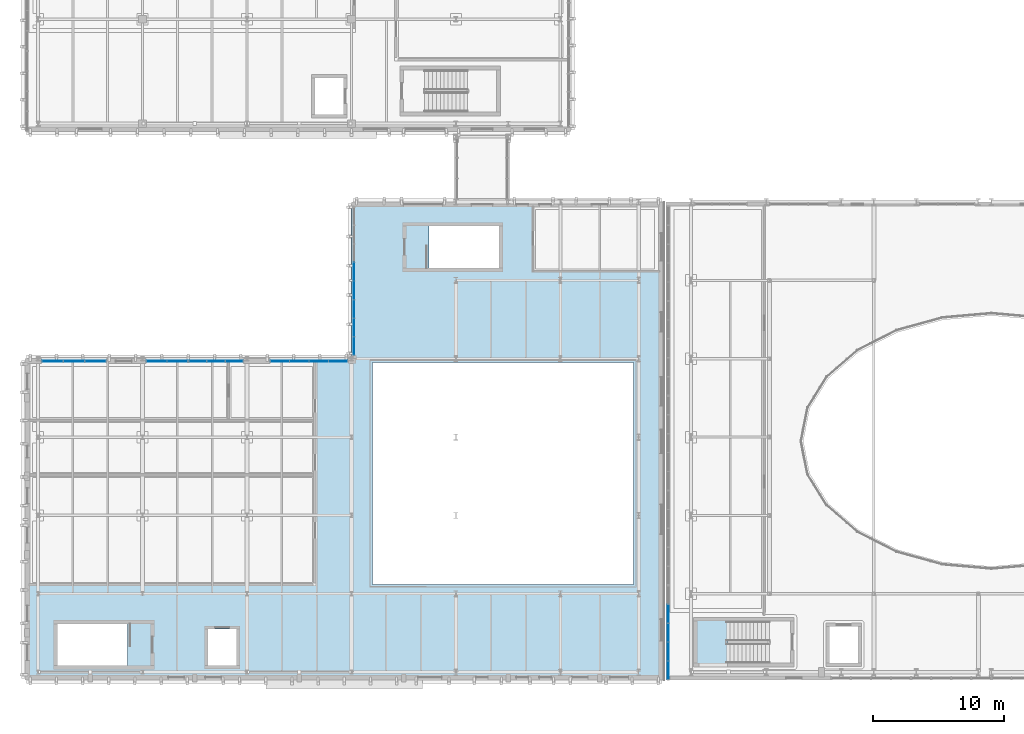
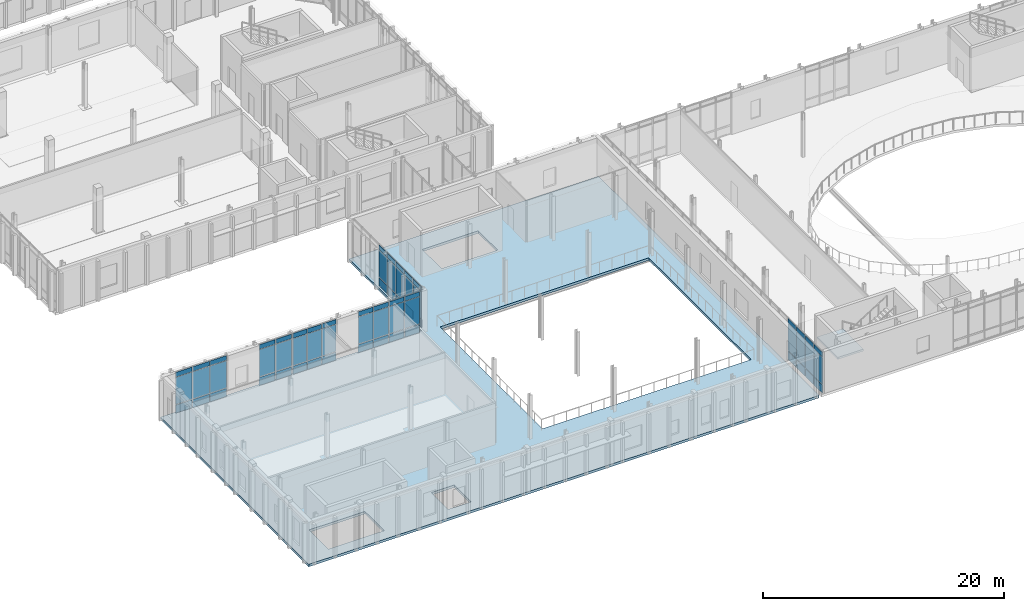
# One storey, part 49 of 100: 63 plates, 2 slabs, 7 elements without a shape of their own.
"""IFC4 building model written with IfcOpenShell, lengths in metres."""

import ifcopenshell
import ifcopenshell.guid

model = None  # the IFC model being written
_history = None  # IfcOwnerHistory: only IFC2X3 demands one
_inside = {}  # id of a spatial element -> (the spatial element, [elements in it])
_under = {}  # id of a project, library or spatial element -> (it, [spatial elements below it])
_declared = {}  # id of a project -> (the project, [libraries it declares])
_typed = {}  # id of a type object -> (the type object, [elements of that type])
_made_of = {}  # id of a material, layer set ... -> (it, [elements and type objects made of it])


def new_model(schema):
    """Start an empty IFC model of exactly this schema.

    Asked for "IFC4X3", IfcOpenShell would pick the latest addendum, in which some entities
    have other attributes; the version numbers below select the first issue.
    IFC2X3 requires an IfcOwnerHistory on every rooted entity: one is made here for all.
    """
    global model, _history
    if schema == "IFC4X3":
        model = ifcopenshell.file(schema_version=(4, 3, 0, 0))
    else:
        model = ifcopenshell.file(schema=schema)
    _inside.clear()
    _under.clear()
    _declared.clear()
    _typed.clear()
    _made_of.clear()
    _history = None
    if model.schema == "IFC2X3":
        org = make("IfcOrganization", Name="unknown")
        user = make(
            "IfcPersonAndOrganization",
            ThePerson=make("IfcPerson", FamilyName="unknown"),
            TheOrganization=org,
        )
        app = make(
            "IfcApplication",
            ApplicationDeveloper=org,
            Version="unknown",
            ApplicationFullName="unknown",
            ApplicationIdentifier="unknown",
        )
        _history = make(
            "IfcOwnerHistory",
            OwningUser=user,
            OwningApplication=app,
            ChangeAction="ADDED",
            CreationDate=0,
        )
    return model


def make(cls, **values):
    """One entity of the class cls with the attributes given. An attribute that is None is left unset."""
    return model.create_entity(
        cls, **{name: value for name, value in values.items() if value is not None}
    )


def rooted(cls, **values):
    """An entity with a GlobalId (a new one), such as an element, a storey or a relation."""
    return make(cls, GlobalId=ifcopenshell.guid.new(), OwnerHistory=_history, **values)


def si_unit(unit_type, name, prefix=None):
    """IfcSIUnit, for example si_unit("LENGTHUNIT", "METRE", prefix="MILLI")."""
    return make("IfcSIUnit", UnitType=unit_type, Prefix=prefix, Name=name)


def assignment(units):
    """IfcUnitAssignment: the units of a project."""
    return None if units is None else make("IfcUnitAssignment", Units=units)


def point(xyz):
    """IfcCartesianPoint."""
    return None if xyz is None else make("IfcCartesianPoint", Coordinates=xyz)


def direction(xyz):
    """IfcDirection."""
    return None if xyz is None else make("IfcDirection", DirectionRatios=xyz)


def frame(location, z_axis=None, x_axis=None):
    """IfcAxis2Placement3D, a coordinate frame: its origin and axes. An axis left out is left unset."""
    return make(
        "IfcAxis2Placement3D",
        Location=point(location),
        Axis=direction(z_axis),
        RefDirection=direction(x_axis),
    )


def frame_2d(location, x_axis=None):
    """IfcAxis2Placement2D, a coordinate frame in the plane: its origin and x axis."""
    return make(
        "IfcAxis2Placement2D", Location=point(location), RefDirection=direction(x_axis)
    )


def origin():
    """The frame at (0, 0, 0) with its axes left unset."""
    return frame((0.0, 0.0, 0.0))


def origin_2d():
    """The frame at (0, 0) in the plane with its x axis left unset."""
    return frame_2d((0.0, 0.0))


def place(relative_to, where):
    """IfcLocalPlacement: puts the frame where relative to a parent placement (None: the world)."""
    return make(
        "IfcLocalPlacement", PlacementRelTo=relative_to, RelativePlacement=where
    )


def context(
    kind, dimensions, precision=None, world=None, true_north=None, identifier=None
):
    """IfcGeometricRepresentationContext, for example the 3D "Model" context."""
    return make(
        "IfcGeometricRepresentationContext",
        ContextIdentifier=identifier,
        ContextType=kind,
        CoordinateSpaceDimension=dimensions,
        Precision=precision,
        WorldCoordinateSystem=world,
        TrueNorth=true_north,
    )


def subcontext(parent, identifier, kind, view, scale=None):
    """IfcGeometricRepresentationSubContext, for example "Body" below "Model"."""
    return make(
        "IfcGeometricRepresentationSubContext",
        ContextIdentifier=identifier,
        ContextType=kind,
        ParentContext=parent,
        TargetScale=scale,
        TargetView=view,
    )


def project(units=None, contexts=None):
    """IfcProject with its units and contexts."""
    return rooted(
        "IfcProject",
        Name="project",
        RepresentationContexts=contexts,
        UnitsInContext=assignment(units),
    )


def spatial(cls, under=None, at=None, **own):
    """A site, building, storey or space (cls), placed at a placement, below another one or the project."""
    s = rooted(cls, ObjectPlacement=at, **own)
    if under is not None:
        _under.setdefault(under.id(), (under, []))[1].append(s)
    return s


def polyline(points):
    """IfcPolyline through the points."""
    return make("IfcPolyline", Points=[point(p) for p in points])


def profile(cls, at=None, kind="AREA", **sizes):
    """A parametric profile (cls). Its sizes go by their IFC names, for example OverallWidth=200.0."""
    return make(cls, ProfileType=kind, Position=at, **sizes)


def rectangle(**sizes):
    """IfcRectangleProfileDef."""
    return profile("IfcRectangleProfileDef", **sizes)


def outline(outer, holes=None, kind="AREA"):
    """IfcArbitraryClosedProfileDef: a profile drawn as a closed curve; with holes, ...WithVoids."""
    if holes is None:
        return make("IfcArbitraryClosedProfileDef", ProfileType=kind, OuterCurve=outer)
    return make(
        "IfcArbitraryProfileDefWithVoids",
        ProfileType=kind,
        OuterCurve=outer,
        InnerCurves=holes,
    )


def extrude(swept, where, along, depth):
    """IfcExtrudedAreaSolid: the profile swept, set in the frame where, extruded along a direction by depth."""
    return make(
        "IfcExtrudedAreaSolid",
        SweptArea=swept,
        Position=where,
        ExtrudedDirection=direction(along),
        Depth=depth,
    )


def shape(context_of_items, identifier, shape_type, items):
    """IfcShapeRepresentation: the items that make up one representation, for example the "Body"."""
    return make(
        "IfcShapeRepresentation",
        ContextOfItems=context_of_items,
        RepresentationIdentifier=identifier,
        RepresentationType=shape_type,
        Items=items,
    )


def material(Name=None, Category=None):
    """IfcMaterial."""
    return make("IfcMaterial", Name=Name, Category=Category)


def layer(
    of_material, thickness, ventilated=None, Name=None, Category=None, Priority=None
):
    """IfcMaterialLayer: one layer of a wall or slab, of a material (None: an air gap)."""
    return make(
        "IfcMaterialLayer",
        Material=of_material,
        LayerThickness=thickness,
        IsVentilated=ventilated,
        Name=Name,
        Category=Category,
        Priority=Priority,
    )


def layer_set(layers, Name=None):
    """IfcMaterialLayerSet."""
    return make("IfcMaterialLayerSet", MaterialLayers=layers, LayerSetName=Name)


def made_of(thing, what):
    """Note that an element or type object is made of a material, layer set ...; save() writes the relation."""
    if what is not None:
        _made_of.setdefault(what.id(), (what, []))[1].append(thing)
    return thing


def type_object(cls, material=None, **own):
    """A type object (cls), such as IfcWallType, which elements share."""
    return made_of(rooted(cls, **own), material)


def element(
    cls,
    number,
    at=None,
    inside=None,
    cuts=None,
    type_object=None,
    material=None,
    context=None,
    identifier="Body",
    shape_type=None,
    held_by="IfcProductDefinitionShape",
    body=None,
    shapes=None,
    **own,
):
    """One element of the class cls, such as IfcWall. Its Tag is "e" and its number.

    at: its placement. inside: the storey or other place that contains it. cuts: it is an
    opening in that element (IfcRelVoidsElement). A single representation is given by context,
    identifier, shape_type and body (its items); several are given by shapes. held_by: the class
    of the entity that holds the representations. save() writes the other relations.
    """
    e = rooted(cls, Tag="e%d" % number, ObjectPlacement=at, **own)
    if body is not None:
        shapes = [shape(context, identifier, shape_type, body)]
    if shapes is not None:
        e.Representation = make(held_by, Representations=shapes)
    if inside is not None:
        _inside.setdefault(inside.id(), (inside, []))[1].append(e)
    if cuts is not None:
        rooted(
            "IfcRelVoidsElement", RelatingBuildingElement=cuts, RelatedOpeningElement=e
        )
    if type_object is not None:
        _typed.setdefault(type_object.id(), (type_object, []))[1].append(e)
    return made_of(e, material)


def aggregate(whole, parts):
    """IfcRelAggregates: a whole, such as a stair, and the parts it consists of."""
    return rooted("IfcRelAggregates", RelatingObject=whole, RelatedObjects=parts)


def save(model, path):
    """Write the relations noted so far, then the file.

    IfcRelAggregates (storeys below a building ...), IfcRelContainedInSpatialStructure (elements
    in a storey), IfcRelDefinesByType, IfcRelAssociatesMaterial and IfcRelDeclares: one each for
    every whole, place, type object, material and project.
    """
    for whole, parts in _under.values():
        aggregate(whole, parts)
    for where, things in _inside.values():
        rooted(
            "IfcRelContainedInSpatialStructure",
            RelatedElements=things,
            RelatingStructure=where,
        )
    for kind, things in _typed.values():
        rooted("IfcRelDefinesByType", RelatedObjects=things, RelatingType=kind)
    for what, things in _made_of.values():
        rooted("IfcRelAssociatesMaterial", RelatedObjects=things, RelatingMaterial=what)
    for by, libraries in _declared.values():
        rooted("IfcRelDeclares", RelatingContext=by, RelatedDefinitions=libraries)
    model.write(path)


model = new_model("IFC4")

# Units and contexts
model_context = context("Model", 3, precision=1e-05, world=origin(), true_north=direction((0.0, 1.0)))
body_context = subcontext(model_context, "Body", "Model", "MODEL_VIEW")
ifc_project = project(units=[si_unit("LENGTHUNIT", "METRE"), si_unit("AREAUNIT", "SQUARE_METRE"), si_unit("VOLUMEUNIT", "CUBIC_METRE"), si_unit("PLANEANGLEUNIT", "RADIAN"), si_unit("MASSUNIT", "GRAM", prefix="KILO")], contexts=[model_context])

# Site, building, storey
site_placement = place(None, origin())
site = spatial("IfcSite", under=ifc_project, at=site_placement, CompositionType="ELEMENT")
building_placement = place(site_placement, origin())
building = spatial("IfcBuilding", under=site, at=building_placement, Name="Cymarion Research Institute", CompositionType="ELEMENT")
storey_placement = place(building_placement, frame((0.0, 0.0, 9.300048828125)))
storey = spatial("IfcBuildingStorey", under=building, at=storey_placement, Name="L02", CompositionType="ELEMENT", Elevation=9.300048828125)

# Slab
ifc_material_1 = material(Name="Concrete C35/45", Category="concrete")
ifc_layer_1 = layer(ifc_material_1, 0.25)
ifc_layer_set_1 = layer_set([ifc_layer_1], Name="Concrete C35/45")
slab_type_1 = type_object("IfcSlabType", Name="COMPOSITE FLOOR SLAB SL-FL250 250MM", PredefinedType="FLOOR", material=ifc_layer_set_1)
slab_1_placement = place(storey_placement, frame((0.0, 0.0, -0.25)))
element("IfcSlab", 1, at=slab_1_placement, inside=storey, type_object=slab_type_1, Name="L02 V3 floor slab", PredefinedType="FLOOR", context=body_context, shape_type="SweptSolid", body=[
    extrude(outline(polyline([(5.60009765625, 4.89990234375), (54.5, 4.89990234375), (54.5, 41.5), (30.60009765625, 41.5), (30.60009765625, 29.5), (5.60009765625, 29.5), (5.60009765625, 4.89990234375)]), holes=[polyline([(13.4599609375, 9.199951171875), (8.10009765625, 9.199951171875), (8.10009765625, 6.0), (13.4599609375, 6.0), (13.4599609375, 9.199951171875)]), polyline([(19.60009765625, 6.0), (21.800048828125, 6.0), (21.800048828125, 8.800048828125), (19.60009765625, 8.800048828125), (19.60009765625, 6.0)]), polyline([(36.5400390625, 36.449951171875), (41.89990234375, 36.449951171875), (41.89990234375, 39.64990234375), (36.5400390625, 39.64990234375), (36.5400390625, 36.449951171875)]), polyline([(32.199951171875, 12.199951171875), (52.199951171875, 12.199951171875), (52.199951171875, 29.199951171875), (32.199951171875, 29.199951171875), (32.199951171875, 12.199951171875)])]), origin(), (0.0, 0.0, 1.0), 0.25),
])

# Curtain wall, plates
ifc_material_2 = material(Name="Anodised aluminium unitised curtain wall with Low-E glazing", Category="aluminium")
curtain_wall_type_1 = type_object("IfcCurtainWallType", Name="UNITISED CURTAIN WALL CW14 7260X4250", PredefinedType="NOTDEFINED", material=ifc_material_2)
curtain_wall_1_placement = place(storey_placement, origin())
curtain_wall_1 = element("IfcCurtainWall", 2, at=curtain_wall_1_placement, inside=storey, type_object=curtain_wall_type_1, Name="L02 V2 unitised curtain wall CW14 #92", PredefinedType="NOTDEFINED")
ifc_material_3 = material(Name="Insulated anodised aluminium spandrel panel", Category="aluminium")
ifc_layer_2 = layer(ifc_material_3, 0.06005859375)
ifc_layer_set_2 = layer_set([ifc_layer_2], Name="Insulated anodised aluminium spandrel panel")
plate_type_1 = type_object("IfcPlateType", Name="INSULATED ALUMINIUM SPANDREL PANEL SP01 60MM", PredefinedType="SHEET", material=ifc_layer_set_2)
plate_1_placement = place(storey_placement, frame((54.860107421875, 9.979248046875, 0.059814453125), z_axis=(0.0, 0.0, 1.0), x_axis=(0.0, -1.0, 0.0)))
plate_1 = element("IfcPlate", 3, at=plate_1_placement, type_object=plate_type_1, Name="CW14 panel 2.1", PredefinedType="SHEET", context=body_context, shape_type="SweptSolid", body=[
    extrude(rectangle(XDim=1.39111328125, YDim=0.06005859375, at=origin_2d()), origin(), (0.0, 0.0, 1.0), 0.81005859375),
])
plate_2_placement = place(storey_placement, frame((54.860107421875, 9.979248046875, 3.72998046875), z_axis=(0.0, 0.0, 1.0), x_axis=(0.0, -1.0, 0.0)))
plate_2 = element("IfcPlate", 4, at=plate_2_placement, type_object=plate_type_1, Name="CW14 panel 2.3", PredefinedType="SHEET", context=body_context, shape_type="SweptSolid", body=[
    extrude(rectangle(XDim=1.39111328125, YDim=0.06005859375, at=origin_2d()), origin(), (0.0, 0.0, 1.0), 0.4599609375),
])
plate_3_placement = place(storey_placement, frame((54.860107421875, 8.528076171875, 0.059814453125), z_axis=(0.0, 0.0, 1.0), x_axis=(0.0, -1.0, 0.0)))
plate_3 = element("IfcPlate", 5, at=plate_3_placement, type_object=plate_type_1, Name="CW14 panel 3.1", PredefinedType="SHEET", context=body_context, shape_type="SweptSolid", body=[
    extrude(rectangle(XDim=1.39111328125, YDim=0.06005859375, at=origin_2d()), origin(), (0.0, 0.0, 1.0), 0.81005859375),
])
plate_4_placement = place(storey_placement, frame((54.860107421875, 8.528076171875, 3.72998046875), z_axis=(0.0, 0.0, 1.0), x_axis=(0.0, -1.0, 0.0)))
plate_4 = element("IfcPlate", 6, at=plate_4_placement, type_object=plate_type_1, Name="CW14 panel 3.3", PredefinedType="SHEET", context=body_context, shape_type="SweptSolid", body=[
    extrude(rectangle(XDim=1.39111328125, YDim=0.06005859375, at=origin_2d()), origin(), (0.0, 0.0, 1.0), 0.4599609375),
])
plate_5_placement = place(storey_placement, frame((54.860107421875, 7.076904296875, 0.059814453125), z_axis=(0.0, 0.0, 1.0), x_axis=(0.0, -1.0, 0.0)))
plate_5 = element("IfcPlate", 7, at=plate_5_placement, type_object=plate_type_1, Name="CW14 panel 4.1", PredefinedType="SHEET", context=body_context, shape_type="SweptSolid", body=[
    extrude(rectangle(XDim=1.39111328125, YDim=0.06005859375, at=origin_2d()), origin(), (0.0, 0.0, 1.0), 0.81005859375),
])
plate_6_placement = place(storey_placement, frame((54.860107421875, 7.076904296875, 3.72998046875), z_axis=(0.0, 0.0, 1.0), x_axis=(0.0, -1.0, 0.0)))
plate_6 = element("IfcPlate", 8, at=plate_6_placement, type_object=plate_type_1, Name="CW14 panel 4.3", PredefinedType="SHEET", context=body_context, shape_type="SweptSolid", body=[
    extrude(rectangle(XDim=1.39111328125, YDim=0.06005859375, at=origin_2d()), origin(), (0.0, 0.0, 1.0), 0.4599609375),
])
plate_7_placement = place(storey_placement, frame((54.860107421875, 5.640625, 0.059814453125), z_axis=(0.0, 0.0, 1.0), x_axis=(0.0, -1.0, 0.0)))
plate_7 = element("IfcPlate", 9, at=plate_7_placement, type_object=plate_type_1, Name="CW14 panel 5.1", PredefinedType="SHEET", context=body_context, shape_type="SweptSolid", body=[
    extrude(rectangle(XDim=1.361083984375, YDim=0.06005859375, at=origin_2d()), origin(), (0.0, 0.0, 1.0), 0.81005859375),
])
plate_8_placement = place(storey_placement, frame((54.860107421875, 5.640625, 3.72998046875), z_axis=(0.0, 0.0, 1.0), x_axis=(0.0, -1.0, 0.0)))
plate_8 = element("IfcPlate", 10, at=plate_8_placement, type_object=plate_type_1, Name="CW14 panel 5.3", PredefinedType="SHEET", context=body_context, shape_type="SweptSolid", body=[
    extrude(rectangle(XDim=1.361083984375, YDim=0.06005859375, at=origin_2d()), origin(), (0.0, 0.0, 1.0), 0.4599609375),
])

curtain_wall_type_2 = type_object("IfcCurtainWallType", Name="UNITISED CURTAIN WALL CW15 11380X4250", PredefinedType="NOTDEFINED", material=ifc_material_2)
curtain_wall_2_placement = place(storey_placement, origin())
curtain_wall_2 = element("IfcCurtainWall", 11, at=curtain_wall_2_placement, inside=storey, type_object=curtain_wall_type_2, Name="L02 V3 unitised curtain wall CW15 #93", PredefinedType="NOTDEFINED")
plate_9_placement = place(storey_placement, frame((30.7900390625, 36.16015625, 0.059814453125), z_axis=(0.0, 0.0, 1.0), x_axis=(0.0, -1.0, 0.0)))
plate_9 = element("IfcPlate", 12, at=plate_9_placement, type_object=plate_type_1, Name="CW15 panel 4.1", PredefinedType="SHEET", context=body_context, shape_type="SweptSolid", body=[
    extrude(rectangle(XDim=1.3623046875, YDim=0.06005859375, at=origin_2d()), origin(), (0.0, 0.0, 1.0), 0.81005859375),
])
plate_10_placement = place(storey_placement, frame((30.7900390625, 36.16015625, 3.72998046875), z_axis=(0.0, 0.0, 1.0), x_axis=(0.0, -1.0, 0.0)))
plate_10 = element("IfcPlate", 13, at=plate_10_placement, type_object=plate_type_1, Name="CW15 panel 4.3", PredefinedType="SHEET", context=body_context, shape_type="SweptSolid", body=[
    extrude(rectangle(XDim=1.3623046875, YDim=0.06005859375, at=origin_2d()), origin(), (0.0, 0.0, 1.0), 0.4599609375),
])
plate_11_placement = place(storey_placement, frame((30.7900390625, 34.73779296875, 0.059814453125), z_axis=(0.0, 0.0, 1.0), x_axis=(0.0, -1.0, 0.0)))
plate_11 = element("IfcPlate", 14, at=plate_11_placement, type_object=plate_type_1, Name="CW15 panel 5.1", PredefinedType="SHEET", context=body_context, shape_type="SweptSolid", body=[
    extrude(rectangle(XDim=1.3623046875, YDim=0.06005859375, at=origin_2d()), origin(), (0.0, 0.0, 1.0), 0.81005859375),
])
plate_12_placement = place(storey_placement, frame((30.7900390625, 34.73779296875, 3.72998046875), z_axis=(0.0, 0.0, 1.0), x_axis=(0.0, -1.0, 0.0)))
plate_12 = element("IfcPlate", 15, at=plate_12_placement, type_object=plate_type_1, Name="CW15 panel 5.3", PredefinedType="SHEET", context=body_context, shape_type="SweptSolid", body=[
    extrude(rectangle(XDim=1.3623046875, YDim=0.06005859375, at=origin_2d()), origin(), (0.0, 0.0, 1.0), 0.4599609375),
])
plate_13_placement = place(storey_placement, frame((30.7900390625, 33.315673828125, 0.059814453125), z_axis=(0.0, 0.0, 1.0), x_axis=(0.0, -1.0, 0.0)))
plate_13 = element("IfcPlate", 16, at=plate_13_placement, type_object=plate_type_1, Name="CW15 panel 6.1", PredefinedType="SHEET", context=body_context, shape_type="SweptSolid", body=[
    extrude(rectangle(XDim=1.3623046875, YDim=0.06005859375, at=origin_2d()), origin(), (0.0, 0.0, 1.0), 0.81005859375),
])
plate_14_placement = place(storey_placement, frame((30.7900390625, 33.315673828125, 3.72998046875), z_axis=(0.0, 0.0, 1.0), x_axis=(0.0, -1.0, 0.0)))
plate_14 = element("IfcPlate", 17, at=plate_14_placement, type_object=plate_type_1, Name="CW15 panel 6.3", PredefinedType="SHEET", context=body_context, shape_type="SweptSolid", body=[
    extrude(rectangle(XDim=1.3623046875, YDim=0.06005859375, at=origin_2d()), origin(), (0.0, 0.0, 1.0), 0.4599609375),
])
plate_15_placement = place(storey_placement, frame((30.7900390625, 31.893310546875, 0.059814453125), z_axis=(0.0, 0.0, 1.0), x_axis=(0.0, -1.0, 0.0)))
plate_15 = element("IfcPlate", 18, at=plate_15_placement, type_object=plate_type_1, Name="CW15 panel 7.1", PredefinedType="SHEET", context=body_context, shape_type="SweptSolid", body=[
    extrude(rectangle(XDim=1.3623046875, YDim=0.06005859375, at=origin_2d()), origin(), (0.0, 0.0, 1.0), 0.81005859375),
])
plate_16_placement = place(storey_placement, frame((30.7900390625, 31.893310546875, 3.72998046875), z_axis=(0.0, 0.0, 1.0), x_axis=(0.0, -1.0, 0.0)))
plate_16 = element("IfcPlate", 19, at=plate_16_placement, type_object=plate_type_1, Name="CW15 panel 7.3", PredefinedType="SHEET", context=body_context, shape_type="SweptSolid", body=[
    extrude(rectangle(XDim=1.3623046875, YDim=0.06005859375, at=origin_2d()), origin(), (0.0, 0.0, 1.0), 0.4599609375),
])
plate_17_placement = place(storey_placement, frame((30.7900390625, 30.486083984375, 0.059814453125), z_axis=(0.0, 0.0, 1.0), x_axis=(0.0, -1.0, 0.0)))
plate_17 = element("IfcPlate", 20, at=plate_17_placement, type_object=plate_type_1, Name="CW15 panel 8.1", PredefinedType="SHEET", context=body_context, shape_type="SweptSolid", body=[
    extrude(rectangle(XDim=1.332275390625, YDim=0.06005859375, at=origin_2d()), origin(), (0.0, 0.0, 1.0), 0.81005859375),
])
plate_18_placement = place(storey_placement, frame((30.7900390625, 30.486083984375, 3.72998046875), z_axis=(0.0, 0.0, 1.0), x_axis=(0.0, -1.0, 0.0)))
plate_18 = element("IfcPlate", 21, at=plate_18_placement, type_object=plate_type_1, Name="CW15 panel 8.3", PredefinedType="SHEET", context=body_context, shape_type="SweptSolid", body=[
    extrude(rectangle(XDim=1.332275390625, YDim=0.06005859375, at=origin_2d()), origin(), (0.0, 0.0, 1.0), 0.4599609375),
])

curtain_wall_type_3 = type_object("IfcCurtainWallType", Name="UNITISED CURTAIN WALL CW16 5990X4250", PredefinedType="NOTDEFINED", material=ifc_material_2)
curtain_wall_3_placement = place(storey_placement, origin())
curtain_wall_3 = element("IfcCurtainWall", 22, at=curtain_wall_3_placement, inside=storey, type_object=curtain_wall_type_3, Name="L02 V3 unitised curtain wall CW16 #94", PredefinedType="NOTDEFINED")
plate_19_placement = place(storey_placement, frame((29.576171875, 29.31005859375, 0.059814453125), z_axis=(0.0, 0.0, 1.0), x_axis=(-1.0, 0.0, 0.0)))
plate_19 = element("IfcPlate", 23, at=plate_19_placement, type_object=plate_type_1, Name="CW16 panel 1.1", PredefinedType="SHEET", context=body_context, shape_type="SweptSolid", body=[
    extrude(rectangle(XDim=1.407470703125, YDim=0.06005859375, at=origin_2d()), origin(), (0.0, 0.0, 1.0), 0.81005859375),
])
plate_20_placement = place(storey_placement, frame((29.576171875, 29.31005859375, 3.72998046875), z_axis=(0.0, 0.0, 1.0), x_axis=(-1.0, 0.0, 0.0)))
plate_20 = element("IfcPlate", 24, at=plate_20_placement, type_object=plate_type_1, Name="CW16 panel 1.3", PredefinedType="SHEET", context=body_context, shape_type="SweptSolid", body=[
    extrude(rectangle(XDim=1.407470703125, YDim=0.06005859375, at=origin_2d()), origin(), (0.0, 0.0, 1.0), 0.4599609375),
])
plate_21_placement = place(storey_placement, frame((28.09375, 29.31005859375, 0.059814453125), z_axis=(0.0, 0.0, 1.0), x_axis=(-1.0, 0.0, 0.0)))
plate_21 = element("IfcPlate", 25, at=plate_21_placement, type_object=plate_type_1, Name="CW16 panel 2.1", PredefinedType="SHEET", context=body_context, shape_type="SweptSolid", body=[
    extrude(rectangle(XDim=1.4375, YDim=0.06005859375, at=origin_2d()), origin(), (0.0, 0.0, 1.0), 0.81005859375),
])
plate_22_placement = place(storey_placement, frame((28.09375, 29.31005859375, 3.72998046875), z_axis=(0.0, 0.0, 1.0), x_axis=(-1.0, 0.0, 0.0)))
plate_22 = element("IfcPlate", 26, at=plate_22_placement, type_object=plate_type_1, Name="CW16 panel 2.3", PredefinedType="SHEET", context=body_context, shape_type="SweptSolid", body=[
    extrude(rectangle(XDim=1.4375, YDim=0.06005859375, at=origin_2d()), origin(), (0.0, 0.0, 1.0), 0.4599609375),
])
plate_23_placement = place(storey_placement, frame((26.59619140625, 29.31005859375, 0.059814453125), z_axis=(0.0, 0.0, 1.0), x_axis=(-1.0, 0.0, 0.0)))
plate_23 = element("IfcPlate", 27, at=plate_23_placement, type_object=plate_type_1, Name="CW16 panel 3.1", PredefinedType="SHEET", context=body_context, shape_type="SweptSolid", body=[
    extrude(rectangle(XDim=1.4375, YDim=0.06005859375, at=origin_2d()), origin(), (0.0, 0.0, 1.0), 0.81005859375),
])
plate_24_placement = place(storey_placement, frame((26.59619140625, 29.31005859375, 3.72998046875), z_axis=(0.0, 0.0, 1.0), x_axis=(-1.0, 0.0, 0.0)))
plate_24 = element("IfcPlate", 28, at=plate_24_placement, type_object=plate_type_1, Name="CW16 panel 3.3", PredefinedType="SHEET", context=body_context, shape_type="SweptSolid", body=[
    extrude(rectangle(XDim=1.4375, YDim=0.06005859375, at=origin_2d()), origin(), (0.0, 0.0, 1.0), 0.4599609375),
])
plate_25_placement = place(storey_placement, frame((25.11376953125, 29.31005859375, 0.059814453125), z_axis=(0.0, 0.0, 1.0), x_axis=(-1.0, 0.0, 0.0)))
plate_25 = element("IfcPlate", 29, at=plate_25_placement, type_object=plate_type_1, Name="CW16 panel 4.1", PredefinedType="SHEET", context=body_context, shape_type="SweptSolid", body=[
    extrude(rectangle(XDim=1.407470703125, YDim=0.06005859375, at=origin_2d()), origin(), (0.0, 0.0, 1.0), 0.81005859375),
])
plate_26_placement = place(storey_placement, frame((25.11376953125, 29.31005859375, 3.72998046875), z_axis=(0.0, 0.0, 1.0), x_axis=(-1.0, 0.0, 0.0)))
plate_26 = element("IfcPlate", 30, at=plate_26_placement, type_object=plate_type_1, Name="CW16 panel 4.3", PredefinedType="SHEET", context=body_context, shape_type="SweptSolid", body=[
    extrude(rectangle(XDim=1.407470703125, YDim=0.06005859375, at=origin_2d()), origin(), (0.0, 0.0, 1.0), 0.4599609375),
])

curtain_wall_type_4 = type_object("IfcCurtainWallType", Name="UNITISED CURTAIN WALL CW17 4240X4250", PredefinedType="NOTDEFINED", material=ifc_material_2)
curtain_wall_4_placement = place(storey_placement, origin())
curtain_wall_4 = element("IfcCurtainWall", 31, at=curtain_wall_4_placement, inside=storey, type_object=curtain_wall_type_4, Name="L02 V3 unitised curtain wall CW17 #95", PredefinedType="NOTDEFINED")
plate_27_placement = place(storey_placement, frame((21.618408203125, 29.31005859375, 0.059814453125), z_axis=(0.0, 0.0, 1.0), x_axis=(-1.0, 0.0, 0.0)))
plate_27 = element("IfcPlate", 32, at=plate_27_placement, type_object=plate_type_1, Name="CW17 panel 1.1", PredefinedType="SHEET", context=body_context, shape_type="SweptSolid", body=[
    extrude(rectangle(XDim=1.3232421875, YDim=0.06005859375, at=origin_2d()), origin(), (0.0, 0.0, 1.0), 0.81005859375),
])
plate_28_placement = place(storey_placement, frame((21.618408203125, 29.31005859375, 3.72998046875), z_axis=(0.0, 0.0, 1.0), x_axis=(-1.0, 0.0, 0.0)))
plate_28 = element("IfcPlate", 33, at=plate_28_placement, type_object=plate_type_1, Name="CW17 panel 1.3", PredefinedType="SHEET", context=body_context, shape_type="SweptSolid", body=[
    extrude(rectangle(XDim=1.3232421875, YDim=0.06005859375, at=origin_2d()), origin(), (0.0, 0.0, 1.0), 0.4599609375),
])
plate_29_placement = place(storey_placement, frame((20.219970703125, 29.31005859375, 0.059814453125), z_axis=(0.0, 0.0, 1.0), x_axis=(-1.0, 0.0, 0.0)))
plate_29 = element("IfcPlate", 34, at=plate_29_placement, type_object=plate_type_1, Name="CW17 panel 2.1", PredefinedType="SHEET", context=body_context, shape_type="SweptSolid", body=[
    extrude(rectangle(XDim=1.353271484375, YDim=0.06005859375, at=origin_2d()), origin(), (0.0, 0.0, 1.0), 0.81005859375),
])
plate_30_placement = place(storey_placement, frame((20.219970703125, 29.31005859375, 3.72998046875), z_axis=(0.0, 0.0, 1.0), x_axis=(-1.0, 0.0, 0.0)))
plate_30 = element("IfcPlate", 35, at=plate_30_placement, type_object=plate_type_1, Name="CW17 panel 2.3", PredefinedType="SHEET", context=body_context, shape_type="SweptSolid", body=[
    extrude(rectangle(XDim=1.353271484375, YDim=0.06005859375, at=origin_2d()), origin(), (0.0, 0.0, 1.0), 0.4599609375),
])
plate_31_placement = place(storey_placement, frame((18.82177734375, 29.31005859375, 0.059814453125), z_axis=(0.0, 0.0, 1.0), x_axis=(-1.0, 0.0, 0.0)))
plate_31 = element("IfcPlate", 36, at=plate_31_placement, type_object=plate_type_1, Name="CW17 panel 3.1", PredefinedType="SHEET", context=body_context, shape_type="SweptSolid", body=[
    extrude(rectangle(XDim=1.3232421875, YDim=0.06005859375, at=origin_2d()), origin(), (0.0, 0.0, 1.0), 0.81005859375),
])
plate_32_placement = place(storey_placement, frame((18.82177734375, 29.31005859375, 3.72998046875), z_axis=(0.0, 0.0, 1.0), x_axis=(-1.0, 0.0, 0.0)))
plate_32 = element("IfcPlate", 37, at=plate_32_placement, type_object=plate_type_1, Name="CW17 panel 3.3", PredefinedType="SHEET", context=body_context, shape_type="SweptSolid", body=[
    extrude(rectangle(XDim=1.3232421875, YDim=0.06005859375, at=origin_2d()), origin(), (0.0, 0.0, 1.0), 0.4599609375),
])

curtain_wall_type_5 = type_object("IfcCurtainWallType", Name="UNITISED CURTAIN WALL CW18 3240X4250", PredefinedType="NOTDEFINED", material=ifc_material_2)
curtain_wall_5_placement = place(storey_placement, origin())
curtain_wall_5 = element("IfcCurtainWall", 38, at=curtain_wall_5_placement, inside=storey, type_object=curtain_wall_type_5, Name="L02 V3 unitised curtain wall CW18 #96", PredefinedType="NOTDEFINED")
plate_33_placement = place(storey_placement, frame((17.27490234375, 29.31005859375, 0.059814453125), z_axis=(0.0, 0.0, 1.0), x_axis=(-1.0, 0.0, 0.0)))
plate_33 = element("IfcPlate", 39, at=plate_33_placement, type_object=plate_type_1, Name="CW18 panel 1.1", PredefinedType="SHEET", context=body_context, shape_type="SweptSolid", body=[
    extrude(rectangle(XDim=1.530029296875, YDim=0.06005859375, at=origin_2d()), origin(), (0.0, 0.0, 1.0), 0.81005859375),
])
plate_34_placement = place(storey_placement, frame((17.27490234375, 29.31005859375, 3.72998046875), z_axis=(0.0, 0.0, 1.0), x_axis=(-1.0, 0.0, 0.0)))
plate_34 = element("IfcPlate", 40, at=plate_34_placement, type_object=plate_type_1, Name="CW18 panel 1.3", PredefinedType="SHEET", context=body_context, shape_type="SweptSolid", body=[
    extrude(rectangle(XDim=1.530029296875, YDim=0.06005859375, at=origin_2d()), origin(), (0.0, 0.0, 1.0), 0.4599609375),
])
plate_35_placement = place(storey_placement, frame((15.68505859375, 29.31005859375, 0.059814453125), z_axis=(0.0, 0.0, 1.0), x_axis=(-1.0, 0.0, 0.0)))
plate_35 = element("IfcPlate", 41, at=plate_35_placement, type_object=plate_type_1, Name="CW18 panel 2.1", PredefinedType="SHEET", context=body_context, shape_type="SweptSolid", body=[
    extrude(rectangle(XDim=1.530029296875, YDim=0.06005859375, at=origin_2d()), origin(), (0.0, 0.0, 1.0), 0.81005859375),
])
plate_36_placement = place(storey_placement, frame((15.68505859375, 29.31005859375, 3.72998046875), z_axis=(0.0, 0.0, 1.0), x_axis=(-1.0, 0.0, 0.0)))
plate_36 = element("IfcPlate", 42, at=plate_36_placement, type_object=plate_type_1, Name="CW18 panel 2.3", PredefinedType="SHEET", context=body_context, shape_type="SweptSolid", body=[
    extrude(rectangle(XDim=1.530029296875, YDim=0.06005859375, at=origin_2d()), origin(), (0.0, 0.0, 1.0), 0.4599609375),
])

curtain_wall_type_6 = type_object("IfcCurtainWallType", Name="UNITISED CURTAIN WALL CW19 4990X4250", PredefinedType="NOTDEFINED", material=ifc_material_2)
curtain_wall_6_placement = place(storey_placement, origin())
curtain_wall_6 = element("IfcCurtainWall", 43, at=curtain_wall_6_placement, inside=storey, type_object=curtain_wall_type_6, Name="L02 V3 unitised curtain wall CW19 #97", PredefinedType="NOTDEFINED")
plate_37_placement = place(storey_placement, frame((11.00341796875, 29.31005859375, 0.059814453125), z_axis=(0.0, 0.0, 1.0), x_axis=(-1.0, 0.0, 0.0)))
plate_37 = element("IfcPlate", 44, at=plate_37_placement, type_object=plate_type_1, Name="CW19 panel 1.1", PredefinedType="SHEET", context=body_context, shape_type="SweptSolid", body=[
    extrude(rectangle(XDim=1.5732421875, YDim=0.06005859375, at=origin_2d()), origin(), (0.0, 0.0, 1.0), 0.81005859375),
])
plate_38_placement = place(storey_placement, frame((11.00341796875, 29.31005859375, 3.72998046875), z_axis=(0.0, 0.0, 1.0), x_axis=(-1.0, 0.0, 0.0)))
plate_38 = element("IfcPlate", 45, at=plate_38_placement, type_object=plate_type_1, Name="CW19 panel 1.3", PredefinedType="SHEET", context=body_context, shape_type="SweptSolid", body=[
    extrude(rectangle(XDim=1.5732421875, YDim=0.06005859375, at=origin_2d()), origin(), (0.0, 0.0, 1.0), 0.4599609375),
])
plate_39_placement = place(storey_placement, frame((9.35498046875, 29.31005859375, 0.059814453125), z_axis=(0.0, 0.0, 1.0), x_axis=(-1.0, 0.0, 0.0)))
plate_39 = element("IfcPlate", 46, at=plate_39_placement, type_object=plate_type_1, Name="CW19 panel 2.1", PredefinedType="SHEET", context=body_context, shape_type="SweptSolid", body=[
    extrude(rectangle(XDim=1.603271484375, YDim=0.06005859375, at=origin_2d()), origin(), (0.0, 0.0, 1.0), 0.81005859375),
])
plate_40_placement = place(storey_placement, frame((9.35498046875, 29.31005859375, 3.72998046875), z_axis=(0.0, 0.0, 1.0), x_axis=(-1.0, 0.0, 0.0)))
plate_40 = element("IfcPlate", 47, at=plate_40_placement, type_object=plate_type_1, Name="CW19 panel 2.3", PredefinedType="SHEET", context=body_context, shape_type="SweptSolid", body=[
    extrude(rectangle(XDim=1.603271484375, YDim=0.06005859375, at=origin_2d()), origin(), (0.0, 0.0, 1.0), 0.4599609375),
])
plate_41_placement = place(storey_placement, frame((7.706787109375, 29.31005859375, 0.059814453125), z_axis=(0.0, 0.0, 1.0), x_axis=(-1.0, 0.0, 0.0)))
plate_41 = element("IfcPlate", 48, at=plate_41_placement, type_object=plate_type_1, Name="CW19 panel 3.1", PredefinedType="SHEET", context=body_context, shape_type="SweptSolid", body=[
    extrude(rectangle(XDim=1.5732421875, YDim=0.06005859375, at=origin_2d()), origin(), (0.0, 0.0, 1.0), 0.81005859375),
])
plate_42_placement = place(storey_placement, frame((7.706787109375, 29.31005859375, 3.72998046875), z_axis=(0.0, 0.0, 1.0), x_axis=(-1.0, 0.0, 0.0)))
plate_42 = element("IfcPlate", 49, at=plate_42_placement, type_object=plate_type_1, Name="CW19 panel 3.3", PredefinedType="SHEET", context=body_context, shape_type="SweptSolid", body=[
    extrude(rectangle(XDim=1.5732421875, YDim=0.06005859375, at=origin_2d()), origin(), (0.0, 0.0, 1.0), 0.4599609375),
])

# Stair, slab
stair_type = type_object("IfcStairType", Name="REINFORCED CONCRETE DOGLEG STAIR STR-4500", PredefinedType="HALF_TURN_STAIR", material=ifc_material_1)
stair_placement = place(storey_placement, origin())
stair = element("IfcStair", 50, at=stair_placement, inside=storey, type_object=stair_type, Name="L02 Core C3 Smoke-Proof Exit Stair ST3", PredefinedType="HALF_TURN_STAIR")
ifc_layer_3 = layer(ifc_material_1, 0.199951171875)
ifc_layer_set_3 = layer_set([ifc_layer_3], Name="Concrete C35/45")
slab_type_2 = type_object("IfcSlabType", Name="REINFORCED CONCRETE STAIR LANDING LDG200", PredefinedType="LANDING", material=ifc_layer_set_3)
slab_2_placement = place(storey_placement, frame((0.0, 0.0, 2.050048828125)))
slab_2 = element("IfcSlab", 51, at=slab_2_placement, type_object=slab_type_2, Name="ST3 landing 1", PredefinedType="LANDING", context=body_context, shape_type="SweptSolid", body=[
    extrude(outline(polyline([(59.419921875, 9.52001953125), (59.419921875, 6.080078125), (56.97998046875, 6.080078125), (56.97998046875, 9.52001953125), (59.419921875, 9.52001953125)])), origin(), (0.0, 0.0, 1.0), 0.199951171875),
])
aggregate(stair, [slab_2])

# Plate
ifc_material_4 = material(Name="Low-E double solar-control glazing", Category="glass")
ifc_layer_4 = layer(ifc_material_4, 0.035888671875)
ifc_layer_set_4 = layer_set([ifc_layer_4], Name="Low-E double solar-control glazing")
plate_type_2 = type_object("IfcPlateType", Name="SOLAR CONTROL GLAZED VISION PANEL GP01 36MM", PredefinedType="CURTAIN_PANEL", material=ifc_layer_set_4)
plate_43_placement = place(storey_placement, frame((54.860107421875, 9.979248046875, 0.93017578125), z_axis=(0.0, 0.0, 1.0), x_axis=(0.0, -1.0, 0.0)))
plate_43 = element("IfcPlate", 52, at=plate_43_placement, type_object=plate_type_2, Name="CW14 panel 2.2", PredefinedType="CURTAIN_PANEL", context=body_context, shape_type="SweptSolid", body=[
    extrude(rectangle(XDim=1.39111328125, YDim=0.035888671875, at=origin_2d()), origin(), (0.0, 0.0, 1.0), 2.739990234375),
])

plate_44_placement = place(storey_placement, frame((54.860107421875, 8.528076171875, 0.93017578125), z_axis=(0.0, 0.0, 1.0), x_axis=(0.0, -1.0, 0.0)))
plate_44 = element("IfcPlate", 53, at=plate_44_placement, type_object=plate_type_2, Name="CW14 panel 3.2", PredefinedType="CURTAIN_PANEL", context=body_context, shape_type="SweptSolid", body=[
    extrude(rectangle(XDim=1.39111328125, YDim=0.035888671875, at=origin_2d()), origin(), (0.0, 0.0, 1.0), 2.739990234375),
])

plate_45_placement = place(storey_placement, frame((54.860107421875, 7.076904296875, 0.93017578125), z_axis=(0.0, 0.0, 1.0), x_axis=(0.0, -1.0, 0.0)))
plate_45 = element("IfcPlate", 54, at=plate_45_placement, type_object=plate_type_2, Name="CW14 panel 4.2", PredefinedType="CURTAIN_PANEL", context=body_context, shape_type="SweptSolid", body=[
    extrude(rectangle(XDim=1.39111328125, YDim=0.035888671875, at=origin_2d()), origin(), (0.0, 0.0, 1.0), 2.739990234375),
])

plate_46_placement = place(storey_placement, frame((54.860107421875, 5.640625, 0.93017578125), z_axis=(0.0, 0.0, 1.0), x_axis=(0.0, -1.0, 0.0)))
plate_46 = element("IfcPlate", 55, at=plate_46_placement, type_object=plate_type_2, Name="CW14 panel 5.2", PredefinedType="CURTAIN_PANEL", context=body_context, shape_type="SweptSolid", body=[
    extrude(rectangle(XDim=1.361083984375, YDim=0.035888671875, at=origin_2d()), origin(), (0.0, 0.0, 1.0), 2.739990234375),
])

aggregate(curtain_wall_1, [plate_1, plate_43, plate_2, plate_3, plate_44, plate_4, plate_5, plate_45, plate_6, plate_7, plate_46, plate_8])

plate_47_placement = place(storey_placement, frame((30.7900390625, 36.16015625, 0.93017578125), z_axis=(0.0, 0.0, 1.0), x_axis=(0.0, -1.0, 0.0)))
plate_47 = element("IfcPlate", 56, at=plate_47_placement, type_object=plate_type_2, Name="CW15 panel 4.2", PredefinedType="CURTAIN_PANEL", context=body_context, shape_type="SweptSolid", body=[
    extrude(rectangle(XDim=1.3623046875, YDim=0.035888671875, at=origin_2d()), origin(), (0.0, 0.0, 1.0), 2.739990234375),
])

plate_48_placement = place(storey_placement, frame((30.7900390625, 34.73779296875, 0.93017578125), z_axis=(0.0, 0.0, 1.0), x_axis=(0.0, -1.0, 0.0)))
plate_48 = element("IfcPlate", 57, at=plate_48_placement, type_object=plate_type_2, Name="CW15 panel 5.2", PredefinedType="CURTAIN_PANEL", context=body_context, shape_type="SweptSolid", body=[
    extrude(rectangle(XDim=1.3623046875, YDim=0.035888671875, at=origin_2d()), origin(), (0.0, 0.0, 1.0), 2.739990234375),
])

plate_49_placement = place(storey_placement, frame((30.7900390625, 33.315673828125, 0.93017578125), z_axis=(0.0, 0.0, 1.0), x_axis=(0.0, -1.0, 0.0)))
plate_49 = element("IfcPlate", 58, at=plate_49_placement, type_object=plate_type_2, Name="CW15 panel 6.2", PredefinedType="CURTAIN_PANEL", context=body_context, shape_type="SweptSolid", body=[
    extrude(rectangle(XDim=1.3623046875, YDim=0.035888671875, at=origin_2d()), origin(), (0.0, 0.0, 1.0), 2.739990234375),
])

plate_50_placement = place(storey_placement, frame((30.7900390625, 31.893310546875, 0.93017578125), z_axis=(0.0, 0.0, 1.0), x_axis=(0.0, -1.0, 0.0)))
plate_50 = element("IfcPlate", 59, at=plate_50_placement, type_object=plate_type_2, Name="CW15 panel 7.2", PredefinedType="CURTAIN_PANEL", context=body_context, shape_type="SweptSolid", body=[
    extrude(rectangle(XDim=1.3623046875, YDim=0.035888671875, at=origin_2d()), origin(), (0.0, 0.0, 1.0), 2.739990234375),
])

plate_51_placement = place(storey_placement, frame((30.7900390625, 30.486083984375, 0.93017578125), z_axis=(0.0, 0.0, 1.0), x_axis=(0.0, -1.0, 0.0)))
plate_51 = element("IfcPlate", 60, at=plate_51_placement, type_object=plate_type_2, Name="CW15 panel 8.2", PredefinedType="CURTAIN_PANEL", context=body_context, shape_type="SweptSolid", body=[
    extrude(rectangle(XDim=1.332275390625, YDim=0.035888671875, at=origin_2d()), origin(), (0.0, 0.0, 1.0), 2.739990234375),
])

aggregate(curtain_wall_2, [plate_9, plate_47, plate_10, plate_11, plate_48, plate_12, plate_13, plate_49, plate_14, plate_15, plate_50, plate_16, plate_17, plate_51, plate_18])

plate_52_placement = place(storey_placement, frame((29.576171875, 29.31005859375, 0.93017578125), z_axis=(0.0, 0.0, 1.0), x_axis=(-1.0, 0.0, 0.0)))
plate_52 = element("IfcPlate", 61, at=plate_52_placement, type_object=plate_type_2, Name="CW16 panel 1.2", PredefinedType="CURTAIN_PANEL", context=body_context, shape_type="SweptSolid", body=[
    extrude(rectangle(XDim=1.407470703125, YDim=0.035888671875, at=origin_2d()), origin(), (0.0, 0.0, 1.0), 2.739990234375),
])

plate_53_placement = place(storey_placement, frame((28.09375, 29.31005859375, 0.93017578125), z_axis=(0.0, 0.0, 1.0), x_axis=(-1.0, 0.0, 0.0)))
plate_53 = element("IfcPlate", 62, at=plate_53_placement, type_object=plate_type_2, Name="CW16 panel 2.2", PredefinedType="CURTAIN_PANEL", context=body_context, shape_type="SweptSolid", body=[
    extrude(rectangle(XDim=1.4375, YDim=0.035888671875, at=origin_2d()), origin(), (0.0, 0.0, 1.0), 2.739990234375),
])

plate_54_placement = place(storey_placement, frame((26.59619140625, 29.31005859375, 0.93017578125), z_axis=(0.0, 0.0, 1.0), x_axis=(-1.0, 0.0, 0.0)))
plate_54 = element("IfcPlate", 63, at=plate_54_placement, type_object=plate_type_2, Name="CW16 panel 3.2", PredefinedType="CURTAIN_PANEL", context=body_context, shape_type="SweptSolid", body=[
    extrude(rectangle(XDim=1.4375, YDim=0.035888671875, at=origin_2d()), origin(), (0.0, 0.0, 1.0), 2.739990234375),
])

plate_55_placement = place(storey_placement, frame((25.11376953125, 29.31005859375, 0.93017578125), z_axis=(0.0, 0.0, 1.0), x_axis=(-1.0, 0.0, 0.0)))
plate_55 = element("IfcPlate", 64, at=plate_55_placement, type_object=plate_type_2, Name="CW16 panel 4.2", PredefinedType="CURTAIN_PANEL", context=body_context, shape_type="SweptSolid", body=[
    extrude(rectangle(XDim=1.407470703125, YDim=0.035888671875, at=origin_2d()), origin(), (0.0, 0.0, 1.0), 2.739990234375),
])

aggregate(curtain_wall_3, [plate_19, plate_52, plate_20, plate_21, plate_53, plate_22, plate_23, plate_54, plate_24, plate_25, plate_55, plate_26])

plate_56_placement = place(storey_placement, frame((21.618408203125, 29.31005859375, 0.93017578125), z_axis=(0.0, 0.0, 1.0), x_axis=(-1.0, 0.0, 0.0)))
plate_56 = element("IfcPlate", 65, at=plate_56_placement, type_object=plate_type_2, Name="CW17 panel 1.2", PredefinedType="CURTAIN_PANEL", context=body_context, shape_type="SweptSolid", body=[
    extrude(rectangle(XDim=1.3232421875, YDim=0.035888671875, at=origin_2d()), origin(), (0.0, 0.0, 1.0), 2.739990234375),
])

plate_57_placement = place(storey_placement, frame((20.219970703125, 29.31005859375, 0.93017578125), z_axis=(0.0, 0.0, 1.0), x_axis=(-1.0, 0.0, 0.0)))
plate_57 = element("IfcPlate", 66, at=plate_57_placement, type_object=plate_type_2, Name="CW17 panel 2.2", PredefinedType="CURTAIN_PANEL", context=body_context, shape_type="SweptSolid", body=[
    extrude(rectangle(XDim=1.353271484375, YDim=0.035888671875, at=origin_2d()), origin(), (0.0, 0.0, 1.0), 2.739990234375),
])

plate_58_placement = place(storey_placement, frame((18.82177734375, 29.31005859375, 0.93017578125), z_axis=(0.0, 0.0, 1.0), x_axis=(-1.0, 0.0, 0.0)))
plate_58 = element("IfcPlate", 67, at=plate_58_placement, type_object=plate_type_2, Name="CW17 panel 3.2", PredefinedType="CURTAIN_PANEL", context=body_context, shape_type="SweptSolid", body=[
    extrude(rectangle(XDim=1.3232421875, YDim=0.035888671875, at=origin_2d()), origin(), (0.0, 0.0, 1.0), 2.739990234375),
])

aggregate(curtain_wall_4, [plate_27, plate_56, plate_28, plate_29, plate_57, plate_30, plate_31, plate_58, plate_32])

plate_59_placement = place(storey_placement, frame((17.27490234375, 29.31005859375, 0.93017578125), z_axis=(0.0, 0.0, 1.0), x_axis=(-1.0, 0.0, 0.0)))
plate_59 = element("IfcPlate", 68, at=plate_59_placement, type_object=plate_type_2, Name="CW18 panel 1.2", PredefinedType="CURTAIN_PANEL", context=body_context, shape_type="SweptSolid", body=[
    extrude(rectangle(XDim=1.530029296875, YDim=0.035888671875, at=origin_2d()), origin(), (0.0, 0.0, 1.0), 2.739990234375),
])

plate_60_placement = place(storey_placement, frame((15.68505859375, 29.31005859375, 0.93017578125), z_axis=(0.0, 0.0, 1.0), x_axis=(-1.0, 0.0, 0.0)))
plate_60 = element("IfcPlate", 69, at=plate_60_placement, type_object=plate_type_2, Name="CW18 panel 2.2", PredefinedType="CURTAIN_PANEL", context=body_context, shape_type="SweptSolid", body=[
    extrude(rectangle(XDim=1.530029296875, YDim=0.035888671875, at=origin_2d()), origin(), (0.0, 0.0, 1.0), 2.739990234375),
])

aggregate(curtain_wall_5, [plate_33, plate_59, plate_34, plate_35, plate_60, plate_36])

plate_61_placement = place(storey_placement, frame((11.00341796875, 29.31005859375, 0.93017578125), z_axis=(0.0, 0.0, 1.0), x_axis=(-1.0, 0.0, 0.0)))
plate_61 = element("IfcPlate", 70, at=plate_61_placement, type_object=plate_type_2, Name="CW19 panel 1.2", PredefinedType="CURTAIN_PANEL", context=body_context, shape_type="SweptSolid", body=[
    extrude(rectangle(XDim=1.5732421875, YDim=0.035888671875, at=origin_2d()), origin(), (0.0, 0.0, 1.0), 2.739990234375),
])

plate_62_placement = place(storey_placement, frame((9.35498046875, 29.31005859375, 0.93017578125), z_axis=(0.0, 0.0, 1.0), x_axis=(-1.0, 0.0, 0.0)))
plate_62 = element("IfcPlate", 71, at=plate_62_placement, type_object=plate_type_2, Name="CW19 panel 2.2", PredefinedType="CURTAIN_PANEL", context=body_context, shape_type="SweptSolid", body=[
    extrude(rectangle(XDim=1.603271484375, YDim=0.035888671875, at=origin_2d()), origin(), (0.0, 0.0, 1.0), 2.739990234375),
])

plate_63_placement = place(storey_placement, frame((7.706787109375, 29.31005859375, 0.93017578125), z_axis=(0.0, 0.0, 1.0), x_axis=(-1.0, 0.0, 0.0)))
plate_63 = element("IfcPlate", 72, at=plate_63_placement, type_object=plate_type_2, Name="CW19 panel 3.2", PredefinedType="CURTAIN_PANEL", context=body_context, shape_type="SweptSolid", body=[
    extrude(rectangle(XDim=1.5732421875, YDim=0.035888671875, at=origin_2d()), origin(), (0.0, 0.0, 1.0), 2.739990234375),
])

aggregate(curtain_wall_6, [plate_37, plate_61, plate_38, plate_39, plate_62, plate_40, plate_41, plate_63, plate_42])

save(model, "model.ifc")
